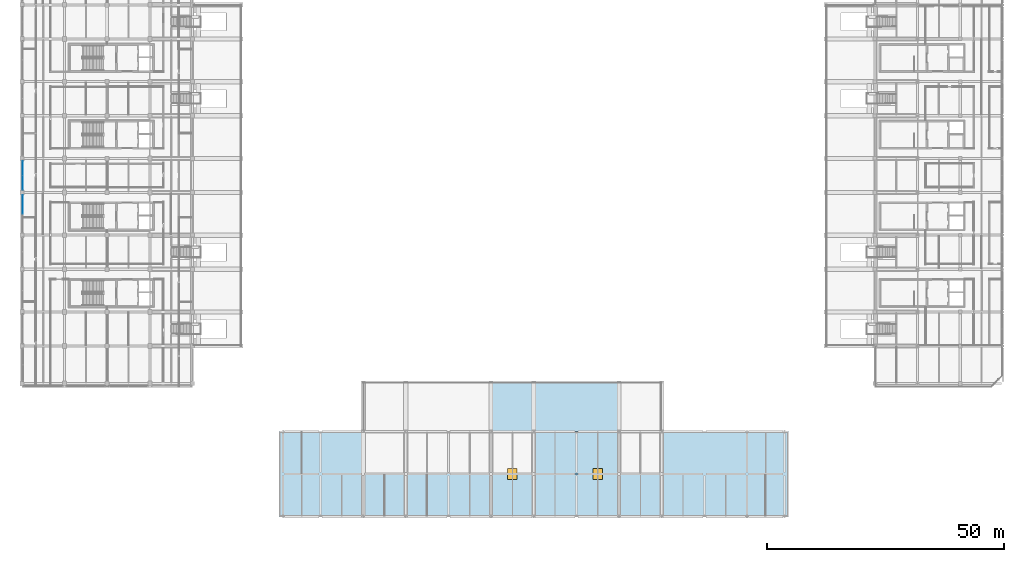
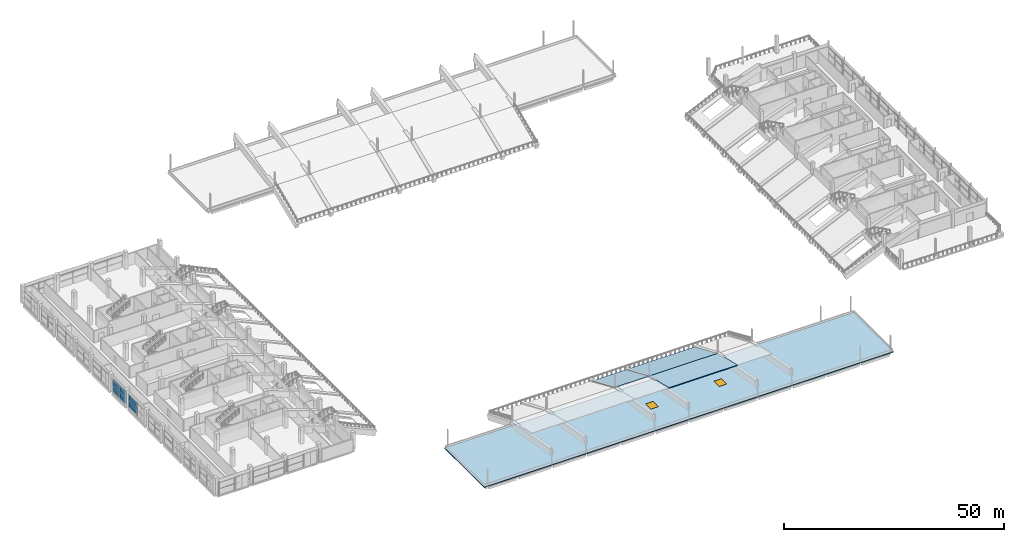
# One storey, part 41 of 66: 6 plates, 4 slabs, 2 windows, 2 openings, 2 elements without a shape of their own.
"""IFC4 building model written with IfcOpenShell, lengths in metres."""

from ifc_helpers import new_model, si_unit, direction, frame, origin, origin_2d, place, context, subcontext, project, spatial, polyline, rectangle, outline, extrude, material, layer, layer_set, type_object, element, fill, aggregate, save


model = new_model("IFC4")

# Units and contexts
model_context = context("Model", 3, precision=1e-05, world=origin(), true_north=direction((0.0, 1.0)))
body_context = subcontext(model_context, "Body", "Model", "MODEL_VIEW")
ifc_project = project(units=[si_unit("LENGTHUNIT", "METRE"), si_unit("AREAUNIT", "SQUARE_METRE"), si_unit("VOLUMEUNIT", "CUBIC_METRE"), si_unit("PLANEANGLEUNIT", "RADIAN"), si_unit("MASSUNIT", "GRAM", prefix="KILO"), si_unit("THERMODYNAMICTEMPERATUREUNIT", "KELVIN"), si_unit("POWERUNIT", "WATT")], contexts=[model_context])

# Site, building, storey
site_placement = place(None, origin())
site = spatial("IfcSite", under=ifc_project, at=site_placement, CompositionType="ELEMENT")
building_placement = place(site_placement, origin())
building = spatial("IfcBuilding", under=site, at=building_placement, Name="Sindhuravela Promenade Stadium", CompositionType="ELEMENT")
storey_placement = place(building_placement, frame((0.0, 0.0, 19.199951171875)))
storey = spatial("IfcBuildingStorey", under=building, at=storey_placement, Name="L04", CompositionType="ELEMENT", Elevation=19.199951171875)

# Curtain wall, plates
ifc_material_1 = material(Name="Anodised architectural aluminium 6063-T6", Category="aluminium")
curtain_wall_type_1 = type_object("IfcCurtainWallType", Name="CW-MOD-5", PredefinedType="NOTDEFINED", material=ifc_material_1)
curtain_wall_1_placement = place(storey_placement, origin())
curtain_wall_1 = element("IfcCurtainWall", 1, at=curtain_wall_1_placement, inside=storey, type_object=curtain_wall_type_1, Name="Bronze curtain wall CW-WEST-L04-052", PredefinedType="NOTDEFINED")
ifc_material_2 = material(Name="Tempered laminated low-E glass", Category="glass")
ifc_layer_1 = layer(ifc_material_2, 0.028076171875)
ifc_layer_set_1 = layer_set([ifc_layer_1], Name="Tempered laminated low-E glass")
plate_type_1 = type_object("IfcPlateType", Name="CW-PNL-01", PredefinedType="CURTAIN_PANEL", material=ifc_layer_set_1)
plate_1_placement = place(storey_placement, frame((0.199951171875, 74.875, 0.01513671875), z_axis=(0.0, 0.0, 1.0), x_axis=(0.0, 1.0, 0.0)))
plate_1 = element("IfcPlate", 2, at=plate_1_placement, type_object=plate_type_1, Name="Glazed curtain panel CW-WEST-L04-052-P2.1", PredefinedType="CURTAIN_PANEL", context=body_context, shape_type="SweptSolid", body=[
    extrude(rectangle(XDim=3.889892578125, YDim=0.028076171875, at=origin_2d()), origin(), (0.0, 0.0, 1.0), 1.760009765625),
])
plate_2_placement = place(storey_placement, frame((0.199951171875, 74.875, 1.80517578125), z_axis=(0.0, 0.0, 1.0), x_axis=(0.0, 1.0, 0.0)))
plate_2 = element("IfcPlate", 3, at=plate_2_placement, type_object=plate_type_1, Name="Glazed curtain panel CW-WEST-L04-052-P2.2", PredefinedType="CURTAIN_PANEL", context=body_context, shape_type="SweptSolid", body=[
    extrude(rectangle(XDim=3.889892578125, YDim=0.028076171875, at=origin_2d()), origin(), (0.0, 0.0, 1.0), 1.679931640625),
])
aggregate(curtain_wall_1, [plate_1, plate_2])

curtain_wall_type_2 = type_object("IfcCurtainWallType", Name="CW-MOD-6", PredefinedType="NOTDEFINED", material=ifc_material_1)
curtain_wall_2_placement = place(storey_placement, origin())
curtain_wall_2 = element("IfcCurtainWall", 4, at=curtain_wall_2_placement, inside=storey, type_object=curtain_wall_type_2, Name="Bronze curtain wall CW-WEST-L04-053", PredefinedType="NOTDEFINED")
ifc_layer_2 = layer(ifc_material_2, 0.0400390625)
ifc_layer_set_2 = layer_set([ifc_layer_2], Name="Tempered laminated low-E glass")
plate_type_2 = type_object("IfcPlateType", Name="CW-PNL-02", PredefinedType="CURTAIN_PANEL", material=ifc_layer_set_2)
plate_3_placement = place(storey_placement, frame((0.199951171875, 79.47509765625, 0.01513671875), z_axis=(0.0, 0.0, 1.0), x_axis=(0.0, 1.0, 0.0)))
plate_3 = element("IfcPlate", 5, at=plate_3_placement, type_object=plate_type_2, Name="Glazed curtain panel CW-WEST-L04-053-P1.1", PredefinedType="CURTAIN_PANEL", context=body_context, shape_type="SweptSolid", body=[
    extrude(rectangle(XDim=2.989990234375, YDim=0.0400390625, at=origin_2d()), origin(), (0.0, 0.0, 1.0), 1.760009765625),
])
plate_4_placement = place(storey_placement, frame((0.199951171875, 79.47509765625, 1.80517578125), z_axis=(0.0, 0.0, 1.0), x_axis=(0.0, 1.0, 0.0)))
plate_4 = element("IfcPlate", 6, at=plate_4_placement, type_object=plate_type_2, Name="Glazed curtain panel CW-WEST-L04-053-P1.2", PredefinedType="CURTAIN_PANEL", context=body_context, shape_type="SweptSolid", body=[
    extrude(rectangle(XDim=2.989990234375, YDim=0.0400390625, at=origin_2d()), origin(), (0.0, 0.0, 1.0), 1.679931640625),
])
plate_5_placement = place(storey_placement, frame((0.199951171875, 82.52490234375, 0.01513671875), z_axis=(0.0, 0.0, 1.0), x_axis=(0.0, 1.0, 0.0)))
plate_5 = element("IfcPlate", 7, at=plate_5_placement, type_object=plate_type_2, Name="Glazed curtain panel CW-WEST-L04-053-P2.1", PredefinedType="CURTAIN_PANEL", context=body_context, shape_type="SweptSolid", body=[
    extrude(rectangle(XDim=2.989990234375, YDim=0.0400390625, at=origin_2d()), origin(), (0.0, 0.0, 1.0), 1.760009765625),
])
plate_6_placement = place(storey_placement, frame((0.199951171875, 82.52490234375, 1.80517578125), z_axis=(0.0, 0.0, 1.0), x_axis=(0.0, 1.0, 0.0)))
plate_6 = element("IfcPlate", 8, at=plate_6_placement, type_object=plate_type_2, Name="Glazed curtain panel CW-WEST-L04-053-P2.2", PredefinedType="CURTAIN_PANEL", context=body_context, shape_type="SweptSolid", body=[
    extrude(rectangle(XDim=2.989990234375, YDim=0.0400390625, at=origin_2d()), origin(), (0.0, 0.0, 1.0), 1.679931640625),
])
aggregate(curtain_wall_2, [plate_3, plate_4, plate_5, plate_6])

# Slab, openings, windows
ifc_material_3 = material(Name="Concrete M40", Category="concrete")
ifc_layer_3 = layer(ifc_material_3, 0.2451171875)
ifc_layer_set_3 = layer_set([ifc_layer_3], Name="Concrete M40")
slab_type_1 = type_object("IfcSlabType", Name="SL-ROF-210", PredefinedType="ROOF", material=ifc_layer_set_3)
slab_1_placement = place(storey_placement, frame((0.0, 0.0, -0.244873046875)))
slab_1 = element("IfcSlab", 9, at=slab_1_placement, inside=storey, type_object=slab_type_1, Name="Main roof slab SOUTH L04", PredefinedType="ROOF", context=body_context, shape_type="SweptSolid", body=[
    extrude(outline(polyline([(161.75, 27.0), (161.75, 9.0), (54.25, 9.0), (54.25, 27.0), (161.75, 27.0)])), origin(), (0.0, 0.0, 1.0), 0.244873046875),
])
opening_1_placement = place(slab_1_placement, frame((103.5, 18.0, -0.010009765625)))
opening_1 = element("IfcOpeningElement", 10, at=opening_1_placement, cuts=slab_1, Name="Opening SK02", PredefinedType="OPENING", context=body_context, shape_type="SweptSolid", body=[
    extrude(rectangle(XDim=2.0, YDim=2.39990234375, at=origin_2d()), origin(), (0.0, 0.0, 1.0), 0.264892578125),
])
opening_2_placement = place(slab_1_placement, frame((121.5, 18.0, -0.010009765625)))
opening_2 = element("IfcOpeningElement", 11, at=opening_2_placement, cuts=slab_1, Name="Opening SK02", PredefinedType="OPENING", context=body_context, shape_type="SweptSolid", body=[
    extrude(rectangle(XDim=2.0, YDim=2.39990234375, at=origin_2d()), origin(), (0.0, 0.0, 1.0), 0.264892578125),
])
window_type = type_object("IfcWindowType", Name="WN-SKY-2000x2400", PartitioningType="SINGLE_PANEL", PredefinedType="SKYLIGHT", material=ifc_material_2)
window_1_placement = place(slab_1_placement, frame((103.5, 18.0, 0.19482421875)))
window_1 = element("IfcWindow", 12, at=window_1_placement, inside=storey, type_object=window_type, Name="Concourse roof skylight SK02-07", OverallHeight=2.39990234375, OverallWidth=2.0, PartitioningType="SINGLE_PANEL", PredefinedType="SKYLIGHT", context=body_context, shape_type="SweptSolid", body=[
    extrude(rectangle(XDim=2.0, YDim=2.39990234375, at=origin_2d()), origin(), (0.0, 0.0, 1.0), 0.050048828125),
])
fill(opening_1, window_1)
window_2_placement = place(slab_1_placement, frame((121.5, 18.0, 0.19482421875)))
window_2 = element("IfcWindow", 13, at=window_2_placement, inside=storey, type_object=window_type, Name="Concourse roof skylight SK02-08", OverallHeight=2.39990234375, OverallWidth=2.0, PartitioningType="SINGLE_PANEL", PredefinedType="SKYLIGHT", context=body_context, shape_type="SweptSolid", body=[
    extrude(rectangle(XDim=2.0, YDim=2.39990234375, at=origin_2d()), origin(), (0.0, 0.0, 1.0), 0.050048828125),
])
fill(opening_2, window_2)

# Slabs
ifc_material_4 = material(Name="Precast concrete M50", Category="concrete")
ifc_layer_4 = layer(ifc_material_4, 0.159912109375)
ifc_layer_set_4 = layer_set([ifc_layer_4], Name="Precast concrete M50")
slab_type_2 = type_object("IfcSlabType", Name="SL-TR2-160", PredefinedType="USERDEFINED", material=ifc_layer_set_4)
slab_2_placement = place(storey_placement, frame((126.0, 27.0, 1.10009765625), z_axis=(0.0, 0.23744811744425076, 0.9714002221135124), x_axis=(-1.0, 0.0, 0.0)))
element("IfcSlab", 14, at=slab_2_placement, inside=storey, type_object=slab_type_2, Name="Stand upper tier South rear bay 47", ObjectType="SEATING TIER", PredefinedType="USERDEFINED", context=body_context, shape_type="SweptSolid", body=[
    extrude(outline(polyline([(0.0, 0.0), (18.0, 0.0), (18.0, 9.264976263252603), (0.0, 9.264976263252603), (0.0, 0.0)])), origin(), (0.0, 0.0, -1.0), 0.159912109375),
])
ifc_layer_5 = layer(ifc_material_4, 0.199951171875)
ifc_layer_set_5 = layer_set([ifc_layer_5], Name="Precast concrete M50")
slab_type_3 = type_object("IfcSlabType", Name="SL-TR2-200", PredefinedType="USERDEFINED", material=ifc_layer_set_5)
slab_3_placement = place(storey_placement, frame((108.0, 37.39990234375, -3.39990234375), z_axis=(0.0, 0.3971152139711803, 0.9177687654483692), x_axis=(-1.0, 0.0, 0.0)))
element("IfcSlab", 15, at=slab_3_placement, inside=storey, type_object=slab_type_3, Name="Stand upper tier South cantilever bay 46", ObjectType="SEATING TIER", PredefinedType="USERDEFINED", context=body_context, shape_type="SweptSolid", body=[
    extrude(outline(polyline([(0.0, 0.0), (9.0, 0.0), (9.0, 11.331723997677349), (0.0, 11.331723997677349), (0.0, 0.0)])), origin(), (0.0, 0.0, -1.0), 0.199951171875),
])
slab_4_placement = place(storey_placement, frame((126.0, 37.39990234375, -3.39990234375), z_axis=(0.0, 0.3971152139711803, 0.9177687654483692), x_axis=(-1.0, 0.0, 0.0)))
element("IfcSlab", 16, at=slab_4_placement, inside=storey, type_object=slab_type_3, Name="Stand upper tier South cantilever bay 47", ObjectType="SEATING TIER", PredefinedType="USERDEFINED", context=body_context, shape_type="SweptSolid", body=[
    extrude(outline(polyline([(0.0, 0.0), (18.0, 0.0), (18.0, 11.331723997677349), (0.0, 11.331723997677349), (0.0, 0.0)])), origin(), (0.0, 0.0, -1.0), 0.199951171875),
])

save(model, "model.ifc")
